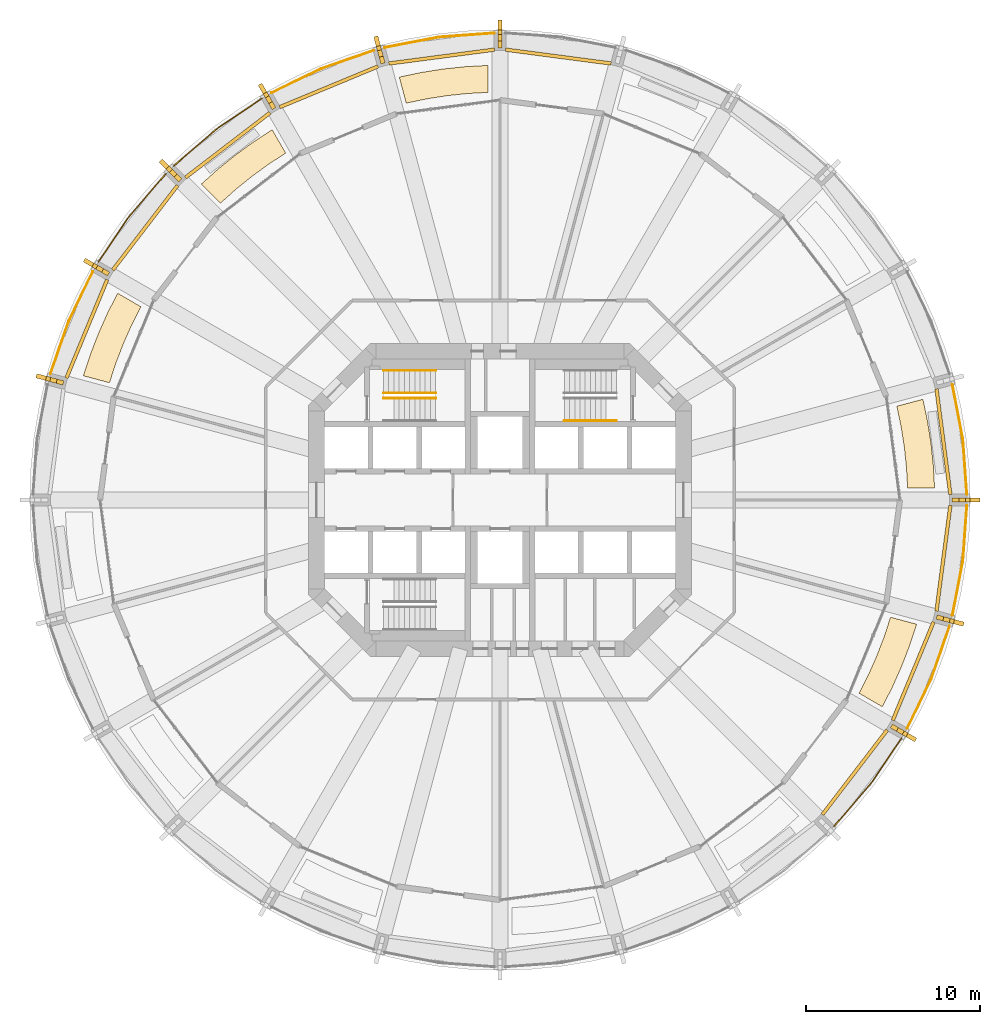
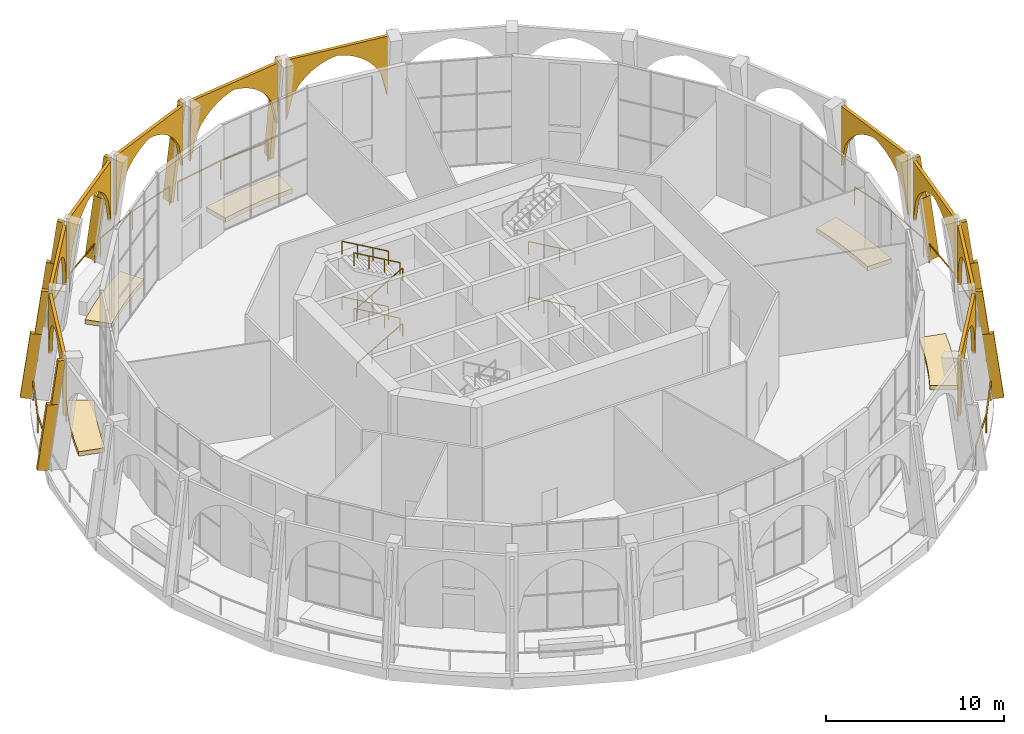
# One storey, part 18 of 19: 33 coverings, 17 railings.
"""IFC4 building model written with IfcOpenShell, lengths in metres."""

from ifc_helpers import new_model, si_unit, direction, frame, origin, origin_2d, place, context, subcontext, project, spatial, polyline, rectangle, outline, extrude, material, layer, layer_set, material_profile, profile_set, type_object, element, save


model = new_model("IFC4")

# Units and contexts
model_context = context("Model", 3, precision=1e-05, world=origin(), true_north=direction((0.0, 1.0)))
body_context = subcontext(model_context, "Body", "Model", "MODEL_VIEW")
ifc_project = project(units=[si_unit("LENGTHUNIT", "METRE"), si_unit("AREAUNIT", "SQUARE_METRE"), si_unit("VOLUMEUNIT", "CUBIC_METRE"), si_unit("PLANEANGLEUNIT", "RADIAN"), si_unit("MASSUNIT", "GRAM", prefix="KILO")], contexts=[model_context])

# Site, building, storey
site_placement = place(None, origin())
site = spatial("IfcSite", under=ifc_project, at=site_placement, CompositionType="ELEMENT")
building_placement = place(site_placement, origin())
building = spatial("IfcBuilding", under=site, at=building_placement, Name="Torre Triforio", CompositionType="ELEMENT")
storey_placement = place(building_placement, frame((0.0, 0.0, 79.0)))
storey = spatial("IfcBuildingStorey", under=building, at=storey_placement, Name="L17", CompositionType="ELEMENT", Elevation=79.0)

# Railings
ifc_material_1 = material(Name="Stainless steel AISI 316", Category="steel")
railing_type_1 = type_object("IfcRailingType", Name="HANDRAIL 920", PredefinedType="HANDRAIL", material=ifc_material_1)
railing_1_placement = place(storey_placement, frame((-6.699951171875, 5.85009765625, 0.172607421875)))
element("IfcRailing", 1, at=railing_1_placement, inside=storey, type_object=railing_type_1, Name="Handrail ST1", PredefinedType="HANDRAIL", context=body_context, shape_type="SweptSolid", body=[
    extrude(rectangle(XDim=0.048095703125, YDim=0.048095703125, at=origin_2d()), frame((0.0, 0.0, 0.89599609375), z_axis=(0.866619684472, 0.0, 0.498969260062), x_axis=(0.0, 1.0, 0.0)), (0.0, 0.0, 1.0), 3.461669921875),
    extrude(rectangle(XDim=0.0419921875, YDim=0.0419921875, at=origin_2d()), origin(), (0.0, 0.0, 1.0), 0.871826171875),
    extrude(rectangle(XDim=0.0419921875, YDim=0.0419921875, at=origin_2d()), frame((1.0, 0.0, 0.57568359375)), (0.0, 0.0, 1.0), 0.871826171875),
    extrude(rectangle(XDim=0.0419921875, YDim=0.0419921875, at=origin_2d()), frame((2.0, 0.0, 1.151611328125)), (0.0, 0.0, 1.0), 0.871826171875),
    extrude(rectangle(XDim=0.0419921875, YDim=0.0419921875, at=origin_2d()), frame((3.0, 0.0, 1.727294921875)), (0.0, 0.0, 1.0), 0.871826171875),
])
for number, where, name in (
    (2, (-3.699951171875, 7.449951171875, 2.07275390625), "Handrail ST1"),
    (3, (-3.699951171875, 6.14990234375, 2.07275390625), "Handrail ST1"),
):
    element("IfcRailing", number, at=place(storey_placement, frame(where)), inside=storey, type_object=railing_type_1, Name=name, PredefinedType="HANDRAIL", context=body_context, shape_type="SweptSolid", body=[
        extrude(rectangle(XDim=0.048095703125, YDim=0.048095703125, at=origin_2d()), frame((0.0, 0.0, 0.89599609375), z_axis=(-0.866619684472, 0.0, 0.498969260062), x_axis=(0.0, -1.0, 0.0)), (0.0, 0.0, 1.0), 3.461669921875),
        extrude(rectangle(XDim=0.0419921875, YDim=0.0419921875, at=origin_2d()), origin(), (0.0, 0.0, 1.0), 0.871826171875),
        extrude(rectangle(XDim=0.0419921875, YDim=0.0419921875, at=origin_2d()), frame((-1.0, 0.0, 0.57568359375)), (0.0, 0.0, 1.0), 0.871826171875),
        extrude(rectangle(XDim=0.0419921875, YDim=0.0419921875, at=origin_2d()), frame((-2.0, 0.0, 1.151611328125)), (0.0, 0.0, 1.0), 0.871826171875),
        extrude(rectangle(XDim=0.0419921875, YDim=0.0419921875, at=origin_2d()), frame((-3.0, 0.0, 1.727294921875)), (0.0, 0.0, 1.0), 0.871826171875),
    ])
railing_2_placement = place(storey_placement, frame((-6.699951171875, 5.85009765625, 3.97265625)))
element("IfcRailing", 4, at=railing_2_placement, inside=storey, type_object=railing_type_1, Name="Handrail ST1", PredefinedType="HANDRAIL", context=body_context, shape_type="SweptSolid", body=[
    extrude(rectangle(XDim=0.048095703125, YDim=0.048095703125, at=origin_2d()), frame((0.0, 0.0, 0.89599609375), z_axis=(0.866619684472, 0.0, 0.498969260062), x_axis=(0.0, 1.0, 0.0)), (0.0, 0.0, 1.0), 3.461669921875),
    extrude(rectangle(XDim=0.0419921875, YDim=0.0419921875, at=origin_2d()), origin(), (0.0, 0.0, 1.0), 0.871826171875),
    extrude(rectangle(XDim=0.0419921875, YDim=0.0419921875, at=origin_2d()), frame((1.0, 0.0, 0.57568359375)), (0.0, 0.0, 1.0), 0.871826171875),
    extrude(rectangle(XDim=0.0419921875, YDim=0.0419921875, at=origin_2d()), frame((2.0, 0.0, 1.151611328125)), (0.0, 0.0, 1.0), 0.871826171875),
    extrude(rectangle(XDim=0.0419921875, YDim=0.0419921875, at=origin_2d()), frame((3.0, 0.0, 1.727294921875)), (0.0, 0.0, 1.0), 0.871826171875),
])
for number, where, name in (
    (5, (-3.699951171875, 7.449951171875, 5.872802734375), "Handrail ST1"),
    (6, (-3.699951171875, 6.14990234375, 5.872802734375), "Handrail ST1"),
    (7, (6.699951171875, 4.550048828125, 0.172607421875), "Handrail ST2"),
    (8, (6.699951171875, 4.550048828125, 3.97265625), "Handrail ST2"),
):
    element("IfcRailing", number, at=place(storey_placement, frame(where)), inside=storey, type_object=railing_type_1, Name=name, PredefinedType="HANDRAIL", context=body_context, shape_type="SweptSolid", body=[
        extrude(rectangle(XDim=0.048095703125, YDim=0.048095703125, at=origin_2d()), frame((0.0, 0.0, 0.89599609375), z_axis=(-0.866619684472, 0.0, 0.498969260062), x_axis=(0.0, -1.0, 0.0)), (0.0, 0.0, 1.0), 3.461669921875),
        extrude(rectangle(XDim=0.0419921875, YDim=0.0419921875, at=origin_2d()), origin(), (0.0, 0.0, 1.0), 0.871826171875),
        extrude(rectangle(XDim=0.0419921875, YDim=0.0419921875, at=origin_2d()), frame((-1.0, 0.0, 0.57568359375)), (0.0, 0.0, 1.0), 0.871826171875),
        extrude(rectangle(XDim=0.0419921875, YDim=0.0419921875, at=origin_2d()), frame((-2.0, 0.0, 1.151611328125)), (0.0, 0.0, 1.0), 0.871826171875),
        extrude(rectangle(XDim=0.0419921875, YDim=0.0419921875, at=origin_2d()), frame((-3.0, 0.0, 1.727294921875)), (0.0, 0.0, 1.0), 0.871826171875),
    ])

# Coverings
ifc_material_2 = material(Name="Limestone arch panel", Category="masonry")
ifc_layer_1 = layer(ifc_material_2, 0.199951171875)
ifc_layer_set_1 = layer_set([ifc_layer_1], Name="Limestone arch panel")
covering_type_1 = type_object("IfcCoveringType", Name="Lancet arch cladding panel 200", PredefinedType="CLADDING", material=ifc_layer_set_1)
for number, where, z_axis, x_axis, name in (
    (9, (25.40087890625, 3.343994140625, 0.0), (0.991450144272, 0.130486058348, 0.0), (-0.130486058348, 0.991450144272, 0.0), "Lancet arch panel L17 bay 01"),
    (10, (3.343994140625, 25.40087890625, 0.0), (0.130486058348, 0.991450144272, 0.0), (-0.991450144272, 0.130486058348, 0.0), "Lancet arch panel L17 bay 06"),
    (11, (-3.343994140625, 25.40087890625, 0.0), (-0.130486058348, 0.991450144272, 0.0), (-0.991450144272, -0.130486058348, 0.0), "Lancet arch panel L17 bay 07"),
    (12, (-9.804443359375, 23.669921875, 0.0), (-0.383141993942, 0.923689456732, 0.0), (-0.923689456732, -0.383141993942, 0.0), "Lancet arch panel L17 bay 08"),
):
    element("IfcCovering", number, at=place(storey_placement, frame(where, z_axis=z_axis, x_axis=x_axis)), inside=storey, type_object=covering_type_1, Name=name, PredefinedType="CLADDING", context=body_context, shape_type="SweptSolid", body=[
        extrude(outline(polyline([(-3.0634765625, 7.320068359375), (-3.0634765625, 3.205078125), (-2.680419921875, 4.836181640625), (-2.297607421875, 5.447021484375), (-1.91455078125, 5.86962890625), (-1.53173828125, 6.18505859375), (-1.148681640625, 6.4248046875), (-0.765869140625, 6.605224609375), (-0.3828125, 6.735107421875), (0.0, 6.820068359375), (0.3828125, 6.735107421875), (0.765869140625, 6.605224609375), (1.148681640625, 6.4248046875), (1.53173828125, 6.18505859375), (1.91455078125, 5.86962890625), (2.297607421875, 5.447021484375), (2.680419921875, 4.836181640625), (3.0634765625, 3.205078125), (3.0634765625, 7.320068359375), (-3.0634765625, 7.320068359375)])), origin(), (0.0, 0.0, 1.0), 0.2001953125),
    ])
for number, where, z_axis, x_axis, name in (
    (13, (-15.5966796875, 20.325927734375, 0.0), (-0.60817512943, 0.793802879778, 0.0), (-0.793802879778, -0.60817512943, 0.0), "Lancet arch panel L17 bay 09"),
    (14, (-20.325927734375, 15.5966796875, 0.0), (-0.793802879778, 0.60817512943, 0.0), (-0.60817512943, -0.793802879778, 0.0), "Lancet arch panel L17 bay 10"),
):
    element("IfcCovering", number, at=place(storey_placement, frame(where, z_axis=z_axis, x_axis=x_axis)), inside=storey, type_object=covering_type_1, Name=name, PredefinedType="CLADDING", context=body_context, shape_type="SweptSolid", body=[
        extrude(outline(polyline([(-3.0634765625, 7.320068359375), (-3.0634765625, 3.205078125), (-2.680419921875, 4.836181640625), (-2.297607421875, 5.447021484375), (-1.91455078125, 5.86962890625), (-1.53173828125, 6.18505859375), (-1.148681640625, 6.4248046875), (-0.765869140625, 6.605224609375), (-0.3828125, 6.735107421875), (0.0, 6.820068359375), (0.3828125, 6.735107421875), (0.765869140625, 6.605224609375), (1.148681640625, 6.4248046875), (1.53173828125, 6.18505859375), (1.91455078125, 5.86962890625), (2.297607421875, 5.447021484375), (2.680419921875, 4.836181640625), (3.0634765625, 3.205078125), (3.0634765625, 7.320068359375), (-3.0634765625, 7.320068359375)])), origin(), (0.0, 0.0, 1.0), 0.199951171875),
    ])
covering_1_placement = place(storey_placement, frame((-23.669921875, 9.804443359375, 0.0), z_axis=(-0.923689456732, 0.383141993942, 0.0), x_axis=(-0.383141993942, -0.923689456732, 0.0)))
element("IfcCovering", 15, at=covering_1_placement, inside=storey, type_object=covering_type_1, Name="Lancet arch panel L17 bay 11", PredefinedType="CLADDING", context=body_context, shape_type="SweptSolid", body=[
    extrude(outline(polyline([(-3.0634765625, 7.320068359375), (-3.0634765625, 3.205078125), (-2.680419921875, 4.836181640625), (-2.297607421875, 5.447021484375), (-1.91455078125, 5.86962890625), (-1.53173828125, 6.18505859375), (-1.148681640625, 6.4248046875), (-0.765869140625, 6.605224609375), (-0.3828125, 6.735107421875), (0.0, 6.820068359375), (0.3828125, 6.735107421875), (0.765869140625, 6.605224609375), (1.148681640625, 6.4248046875), (1.53173828125, 6.18505859375), (1.91455078125, 5.86962890625), (2.297607421875, 5.447021484375), (2.680419921875, 4.836181640625), (3.0634765625, 3.205078125), (3.0634765625, 7.320068359375), (-3.0634765625, 7.320068359375)])), origin(), (0.0, 0.0, 1.0), 0.2001953125),
])
covering_2_placement = place(storey_placement, frame((20.325927734375, -15.5966796875, 0.0), z_axis=(0.793802879778, -0.60817512943, 0.0), x_axis=(0.60817512943, 0.793802879778, 0.0)))
element("IfcCovering", 16, at=covering_2_placement, inside=storey, type_object=covering_type_1, Name="Lancet arch panel L17 bay 22", PredefinedType="CLADDING", context=body_context, shape_type="SweptSolid", body=[
    extrude(outline(polyline([(-3.0634765625, 7.320068359375), (-3.0634765625, 3.205078125), (-2.680419921875, 4.836181640625), (-2.297607421875, 5.447021484375), (-1.91455078125, 5.86962890625), (-1.53173828125, 6.18505859375), (-1.148681640625, 6.4248046875), (-0.765869140625, 6.605224609375), (-0.3828125, 6.735107421875), (0.0, 6.820068359375), (0.3828125, 6.735107421875), (0.765869140625, 6.605224609375), (1.148681640625, 6.4248046875), (1.53173828125, 6.18505859375), (1.91455078125, 5.86962890625), (2.297607421875, 5.447021484375), (2.680419921875, 4.836181640625), (3.0634765625, 3.205078125), (3.0634765625, 7.320068359375), (-3.0634765625, 7.320068359375)])), origin(), (0.0, 0.0, 1.0), 0.199951171875),
])
for number, where, z_axis, x_axis, name in (
    (17, (23.669921875, -9.804443359375, 0.0), (0.923689456732, -0.383141993942, 0.0), (0.383141993942, 0.923689456732, 0.0), "Lancet arch panel L17 bay 23"),
    (18, (25.40087890625, -3.343994140625, 0.0), (0.991450144272, -0.130486058348, 0.0), (0.130486058348, 0.991450144272, 0.0), "Lancet arch panel L17 bay 24"),
):
    element("IfcCovering", number, at=place(storey_placement, frame(where, z_axis=z_axis, x_axis=x_axis)), inside=storey, type_object=covering_type_1, Name=name, PredefinedType="CLADDING", context=body_context, shape_type="SweptSolid", body=[
        extrude(outline(polyline([(-3.0634765625, 7.320068359375), (-3.0634765625, 3.205078125), (-2.680419921875, 4.836181640625), (-2.297607421875, 5.447021484375), (-1.91455078125, 5.86962890625), (-1.53173828125, 6.18505859375), (-1.148681640625, 6.4248046875), (-0.765869140625, 6.605224609375), (-0.3828125, 6.735107421875), (0.0, 6.820068359375), (0.3828125, 6.735107421875), (0.765869140625, 6.605224609375), (1.148681640625, 6.4248046875), (1.53173828125, 6.18505859375), (1.91455078125, 5.86962890625), (2.297607421875, 5.447021484375), (2.680419921875, 4.836181640625), (3.0634765625, 3.205078125), (3.0634765625, 7.320068359375), (-3.0634765625, 7.320068359375)])), origin(), (0.0, 0.0, 1.0), 0.2001953125),
    ])

# Railings
railing_type_2 = type_object("IfcRailingType", Name="Loggia guard 1300", PredefinedType="GUARDRAIL", material=ifc_material_1)
railing_3_placement = place(storey_placement, frame((26.85009765625, 0.320068359375, 0.0)))
element("IfcRailing", 19, at=railing_3_placement, inside=storey, type_object=railing_type_2, Name="Loggia guard L17 bay 01", PredefinedType="GUARDRAIL", context=body_context, shape_type="SweptSolid", body=[
    extrude(rectangle(XDim=0.050048828125, YDim=0.050048828125, at=origin_2d()), frame((0.0, 0.0, 1.27490234375), z_axis=(-0.071953458998, 0.997407990613, 0.0), x_axis=(-0.997407990613, -0.071953458998, 0.0)), (0.0, 0.0, 1.0), 3.19287109375),
    extrude(rectangle(XDim=0.050048828125, YDim=0.050048828125, at=origin_2d()), frame((-0.229736328125, 3.1845703125, 1.27490234375), z_axis=(-0.188714097365, 0.982032071501, 0.0), x_axis=(-0.982032071501, -0.188714097365, 0.0)), (0.0, 0.0, 1.0), 3.19287109375),
    extrude(rectangle(XDim=0.0400390625, YDim=0.0400390625, at=origin_2d()), origin(), (0.0, 0.0, 1.0), 1.25),
    extrude(rectangle(XDim=0.0400390625, YDim=0.0400390625, at=origin_2d()), frame((-0.229736328125, 3.1845703125, 0.0)), (0.0, 0.0, 1.0), 1.25),
    extrude(rectangle(XDim=0.0400390625, YDim=0.0400390625, at=origin_2d()), frame((-0.832275390625, 6.320068359375, 0.0)), (0.0, 0.0, 1.0), 1.25),
])
railing_4_placement = place(storey_placement, frame((-0.320068359375, 26.85009765625, 0.0)))
element("IfcRailing", 20, at=railing_4_placement, inside=storey, type_object=railing_type_2, Name="Loggia guard L17 bay 07", PredefinedType="GUARDRAIL", context=body_context, shape_type="SweptSolid", body=[
    extrude(rectangle(XDim=0.050048828125, YDim=0.050048828125, at=origin_2d()), frame((0.0, 0.0, 1.27490234375), z_axis=(-0.997407990613, -0.071953458998, 0.0), x_axis=(0.071953458998, -0.997407990613, 0.0)), (0.0, 0.0, 1.0), 3.19287109375),
    extrude(rectangle(XDim=0.050048828125, YDim=0.050048828125, at=origin_2d()), frame((-3.1845703125, -0.229736328125, 1.27490234375), z_axis=(-0.982032071501, -0.188714097365, 0.0), x_axis=(0.188714097365, -0.982032071501, 0.0)), (0.0, 0.0, 1.0), 3.19287109375),
    extrude(rectangle(XDim=0.0400390625, YDim=0.0400390625, at=origin_2d()), origin(), (0.0, 0.0, 1.0), 1.25),
    extrude(rectangle(XDim=0.0400390625, YDim=0.0400390625, at=origin_2d()), frame((-3.1845703125, -0.229736328125, 0.0)), (0.0, 0.0, 1.0), 1.25),
    extrude(rectangle(XDim=0.0400390625, YDim=0.0400390625, at=origin_2d()), frame((-6.320068359375, -0.832275390625, 0.0)), (0.0, 0.0, 1.0), 1.25),
])
railing_5_placement = place(storey_placement, frame((-7.25830078125, 25.852294921875, 0.0)))
element("IfcRailing", 21, at=railing_5_placement, inside=storey, type_object=railing_type_2, Name="Loggia guard L17 bay 08", PredefinedType="GUARDRAIL", context=body_context, shape_type="SweptSolid", body=[
    extrude(rectangle(XDim=0.050048828125, YDim=0.050048828125, at=origin_2d()), frame((0.0, 0.0, 1.27490234375), z_axis=(-0.94480685358, -0.327627852034, 0.0), x_axis=(0.327627852034, -0.94480685358, 0.0)), (0.0, 0.0, 1.0), 3.193115234375),
    extrude(rectangle(XDim=0.050048828125, YDim=0.050048828125, at=origin_2d()), frame((-3.016845703125, -1.046142578125, 1.27490234375), z_axis=(-0.899760432952, -0.436384192305, 0.0), x_axis=(0.436384192305, -0.899760432952, 0.0)), (0.0, 0.0, 1.0), 3.19287109375),
    extrude(rectangle(XDim=0.0400390625, YDim=0.0400390625, at=origin_2d()), origin(), (0.0, 0.0, 1.0), 1.25),
    extrude(rectangle(XDim=0.0400390625, YDim=0.0400390625, at=origin_2d()), frame((-3.016845703125, -1.046142578125, 0.0)), (0.0, 0.0, 1.0), 1.25),
    extrude(rectangle(XDim=0.0400390625, YDim=0.0400390625, at=origin_2d()), frame((-5.8896484375, -2.439453125, 0.0)), (0.0, 0.0, 1.0), 1.25),
])
railing_6_placement = place(storey_placement, frame((-13.7021484375, 23.0927734375, 0.0)))
element("IfcRailing", 22, at=railing_6_placement, inside=storey, type_object=railing_type_2, Name="Loggia guard L17 bay 09", PredefinedType="GUARDRAIL", context=body_context, shape_type="SweptSolid", body=[
    extrude(rectangle(XDim=0.050048828125, YDim=0.050048828125, at=origin_2d()), frame((0.0, 0.0, 1.27490234375), z_axis=(-0.82780299465, -0.561018896338, 0.0), x_axis=(0.561018896338, -0.82780299465, 0.0)), (0.0, 0.0, 1.0), 3.19287109375),
    extrude(rectangle(XDim=0.050048828125, YDim=0.050048828125, at=origin_2d()), frame((-2.64306640625, -1.791259765625, 1.27490234375), z_axis=(-0.756160678581, -0.654385993255, 0.0), x_axis=(0.654385993255, -0.756160678581, 0.0)), (0.0, 0.0, 1.0), 3.19287109375),
    extrude(rectangle(XDim=0.0400390625, YDim=0.0400390625, at=origin_2d()), origin(), (0.0, 0.0, 1.0), 1.25),
    extrude(rectangle(XDim=0.0400390625, YDim=0.0400390625, at=origin_2d()), frame((-2.64306640625, -1.791259765625, 0.0)), (0.0, 0.0, 1.0), 1.25),
    extrude(rectangle(XDim=0.0400390625, YDim=0.0400390625, at=origin_2d()), frame((-5.057373046875, -3.880615234375, 0.0)), (0.0, 0.0, 1.0), 1.25),
])
railing_7_placement = place(storey_placement, frame((-19.212158203125, 18.759521484375, 0.0)))
element("IfcRailing", 23, at=railing_7_placement, inside=storey, type_object=railing_type_2, Name="Loggia guard L17 bay 10", PredefinedType="GUARDRAIL", context=body_context, shape_type="SweptSolid", body=[
    extrude(rectangle(XDim=0.050048828125, YDim=0.050048828125, at=origin_2d()), frame((0.0, 0.0, 1.27490234375), z_axis=(-0.654385993255, -0.756160678581, 0.0), x_axis=(0.756160678581, -0.654385993255, 0.0)), (0.0, 0.0, 1.0), 3.19287109375),
    extrude(rectangle(XDim=0.050048828125, YDim=0.050048828125, at=origin_2d()), frame((-2.08935546875, -2.414306640625, 1.27490234375), z_axis=(-0.561018896338, -0.82780299465, 0.0), x_axis=(0.82780299465, -0.561018896338, 0.0)), (0.0, 0.0, 1.0), 3.19287109375),
    extrude(rectangle(XDim=0.0400390625, YDim=0.0400390625, at=origin_2d()), origin(), (0.0, 0.0, 1.0), 1.25),
    extrude(rectangle(XDim=0.0400390625, YDim=0.0400390625, at=origin_2d()), frame((-2.08935546875, -2.414306640625, 0.0)), (0.0, 0.0, 1.0), 1.25),
    extrude(rectangle(XDim=0.0400390625, YDim=0.0400390625, at=origin_2d()), frame((-3.880615234375, -5.057373046875, 0.0)), (0.0, 0.0, 1.0), 1.25),
])
railing_8_placement = place(storey_placement, frame((-23.412841796875, 13.14794921875, 0.0)))
element("IfcRailing", 24, at=railing_8_placement, inside=storey, type_object=railing_type_2, Name="Loggia guard L17 bay 11", PredefinedType="GUARDRAIL", context=body_context, shape_type="SweptSolid", body=[
    extrude(rectangle(XDim=0.050048828125, YDim=0.050048828125, at=origin_2d()), frame((0.0, 0.0, 1.27490234375), z_axis=(-0.436384192305, -0.899760432952, 0.0), x_axis=(0.899760432952, -0.436384192305, 0.0)), (0.0, 0.0, 1.0), 3.19287109375),
    extrude(rectangle(XDim=0.050048828125, YDim=0.050048828125, at=origin_2d()), frame((-1.393310546875, -2.872802734375, 1.27490234375), z_axis=(-0.327627852034, -0.94480685358, 0.0), x_axis=(0.94480685358, -0.327627852034, 0.0)), (0.0, 0.0, 1.0), 3.193115234375),
    extrude(rectangle(XDim=0.0400390625, YDim=0.0400390625, at=origin_2d()), origin(), (0.0, 0.0, 1.0), 1.25),
    extrude(rectangle(XDim=0.0400390625, YDim=0.0400390625, at=origin_2d()), frame((-1.393310546875, -2.872802734375, 0.0)), (0.0, 0.0, 1.0), 1.25),
    extrude(rectangle(XDim=0.0400390625, YDim=0.0400390625, at=origin_2d()), frame((-2.439453125, -5.8896484375, 0.0)), (0.0, 0.0, 1.0), 1.25),
])
railing_9_placement = place(storey_placement, frame((19.212158203125, -18.759521484375, 0.0)))
element("IfcRailing", 25, at=railing_9_placement, inside=storey, type_object=railing_type_2, Name="Loggia guard L17 bay 22", PredefinedType="GUARDRAIL", context=body_context, shape_type="SweptSolid", body=[
    extrude(rectangle(XDim=0.050048828125, YDim=0.050048828125, at=origin_2d()), frame((0.0, 0.0, 1.27490234375), z_axis=(0.654385993255, 0.756160678581, 0.0), x_axis=(-0.756160678581, 0.654385993255, 0.0)), (0.0, 0.0, 1.0), 3.19287109375),
    extrude(rectangle(XDim=0.050048828125, YDim=0.050048828125, at=origin_2d()), frame((2.08935546875, 2.414306640625, 1.27490234375), z_axis=(0.561018896338, 0.82780299465, 0.0), x_axis=(-0.82780299465, 0.561018896338, 0.0)), (0.0, 0.0, 1.0), 3.19287109375),
    extrude(rectangle(XDim=0.0400390625, YDim=0.0400390625, at=origin_2d()), origin(), (0.0, 0.0, 1.0), 1.25),
    extrude(rectangle(XDim=0.0400390625, YDim=0.0400390625, at=origin_2d()), frame((2.08935546875, 2.414306640625, 0.0)), (0.0, 0.0, 1.0), 1.25),
    extrude(rectangle(XDim=0.0400390625, YDim=0.0400390625, at=origin_2d()), frame((3.880615234375, 5.057373046875, 0.0)), (0.0, 0.0, 1.0), 1.25),
])
railing_10_placement = place(storey_placement, frame((23.412841796875, -13.14794921875, 0.0)))
element("IfcRailing", 26, at=railing_10_placement, inside=storey, type_object=railing_type_2, Name="Loggia guard L17 bay 23", PredefinedType="GUARDRAIL", context=body_context, shape_type="SweptSolid", body=[
    extrude(rectangle(XDim=0.050048828125, YDim=0.050048828125, at=origin_2d()), frame((0.0, 0.0, 1.27490234375), z_axis=(0.436384192305, 0.899760432952, 0.0), x_axis=(-0.899760432952, 0.436384192305, 0.0)), (0.0, 0.0, 1.0), 3.19287109375),
    extrude(rectangle(XDim=0.050048828125, YDim=0.050048828125, at=origin_2d()), frame((1.393310546875, 2.872802734375, 1.27490234375), z_axis=(0.327627852034, 0.94480685358, 0.0), x_axis=(-0.94480685358, 0.327627852034, 0.0)), (0.0, 0.0, 1.0), 3.193115234375),
    extrude(rectangle(XDim=0.0400390625, YDim=0.0400390625, at=origin_2d()), origin(), (0.0, 0.0, 1.0), 1.25),
    extrude(rectangle(XDim=0.0400390625, YDim=0.0400390625, at=origin_2d()), frame((1.393310546875, 2.872802734375, 0.0)), (0.0, 0.0, 1.0), 1.25),
    extrude(rectangle(XDim=0.0400390625, YDim=0.0400390625, at=origin_2d()), frame((2.439453125, 5.8896484375, 0.0)), (0.0, 0.0, 1.0), 1.25),
])
railing_11_placement = place(storey_placement, frame((26.017822265625, -6.64013671875, 0.0)))
element("IfcRailing", 27, at=railing_11_placement, inside=storey, type_object=railing_type_2, Name="Loggia guard L17 bay 24", PredefinedType="GUARDRAIL", context=body_context, shape_type="SweptSolid", body=[
    extrude(rectangle(XDim=0.050048828125, YDim=0.050048828125, at=origin_2d()), frame((0.0, 0.0, 1.27490234375), z_axis=(0.188714097365, 0.982032071501, 0.0), x_axis=(-0.982032071501, 0.188714097365, 0.0)), (0.0, 0.0, 1.0), 3.19287109375),
    extrude(rectangle(XDim=0.050048828125, YDim=0.050048828125, at=origin_2d()), frame((0.6025390625, 3.135498046875, 1.27490234375), z_axis=(0.071953458998, 0.997407990613, 0.0), x_axis=(-0.997407990613, 0.071953458998, 0.0)), (0.0, 0.0, 1.0), 3.19287109375),
    extrude(rectangle(XDim=0.0400390625, YDim=0.0400390625, at=origin_2d()), origin(), (0.0, 0.0, 1.0), 1.25),
    extrude(rectangle(XDim=0.0400390625, YDim=0.0400390625, at=origin_2d()), frame((0.6025390625, 3.135498046875, 0.0)), (0.0, 0.0, 1.0), 1.25),
    extrude(rectangle(XDim=0.0400390625, YDim=0.0400390625, at=origin_2d()), frame((0.832275390625, 6.320068359375, 0.0)), (0.0, 0.0, 1.0), 1.25),
])

# Coverings
ifc_material_3 = material(Name="Planted topsoil bed")
ifc_layer_2 = layer(ifc_material_3, 0.300048828125)
ifc_layer_set_2 = layer_set([ifc_layer_2], Name="Planted topsoil bed")
covering_type_2 = type_object("IfcCoveringType", Name="Planted bed 300", PredefinedType="FLOORING", material=ifc_layer_set_2)
covering_3_placement = place(storey_placement, origin())
element("IfcCovering", 28, at=covering_3_placement, inside=storey, type_object=covering_type_2, Name="Sky garden L17 planted bed 01", PredefinedType="FLOORING", context=body_context, shape_type="SweptSolid", body=[
    extrude(outline(polyline([(23.439697265625, 0.69970703125), (23.374267578125, 1.8828125), (23.24951171875, 3.060791015625), (23.065185546875, 4.231201171875), (22.822021484375, 5.390869140625), (24.31982421875, 5.7919921875), (24.58544921875, 4.53369140625), (24.7861328125, 3.26318359375), (24.921142578125, 1.984130859375), (24.990234375, 0.69970703125), (23.439697265625, 0.69970703125)])), origin(), (0.0, 0.0, 1.0), 0.300048828125),
])
covering_4_placement = place(storey_placement, origin())
element("IfcCovering", 29, at=covering_4_placement, inside=storey, type_object=covering_type_2, Name="Sky garden L17 planted bed 07", PredefinedType="FLOORING", context=body_context, shape_type="SweptSolid", body=[
    extrude(outline(polyline([(-0.69970703125, 23.439697265625), (-1.8828125, 23.374267578125), (-3.060791015625, 23.24951171875), (-4.231201171875, 23.065185546875), (-5.390869140625, 22.822021484375), (-5.7919921875, 24.31982421875), (-4.53369140625, 24.58544921875), (-3.26318359375, 24.7861328125), (-1.984130859375, 24.921142578125), (-0.69970703125, 24.990234375), (-0.69970703125, 23.439697265625)])), origin(), (0.0, 0.0, 1.0), 0.300048828125),
])
covering_5_placement = place(storey_placement, origin())
element("IfcCovering", 30, at=covering_5_placement, inside=storey, type_object=covering_type_2, Name="Sky garden L17 planted bed 09", PredefinedType="FLOORING", context=body_context, shape_type="SweptSolid", body=[
    extrude(outline(polyline([(-12.32568359375, 19.949462890625), (-13.317626953125, 19.301513671875), (-14.275390625, 18.60400390625), (-15.197021484375, 17.859375), (-16.07958984375, 17.069091796875), (-17.176025390625, 18.16552734375), (-16.218994140625, 19.02490234375), (-15.218994140625, 19.833740234375), (-14.1787109375, 20.59033203125), (-13.10107421875, 21.292236328125), (-12.32568359375, 19.949462890625)])), origin(), (0.0, 0.0, 1.0), 0.300048828125),
])
covering_6_placement = place(storey_placement, origin())
element("IfcCovering", 31, at=covering_6_placement, inside=storey, type_object=covering_type_2, Name="Sky garden L17 planted bed 11", PredefinedType="FLOORING", context=body_context, shape_type="SweptSolid", body=[
    extrude(outline(polyline([(-20.649169921875, 11.11376953125), (-21.18408203125, 10.056640625), (-21.6650390625, 8.973876953125), (-22.090576171875, 7.8681640625), (-22.459716796875, 6.742431640625), (-23.95751953125, 7.143798828125), (-23.55859375, 8.366455078125), (-23.096923828125, 9.567138671875), (-22.574462890625, 10.7421875), (-21.991943359375, 11.88916015625), (-20.649169921875, 11.11376953125)])), origin(), (0.0, 0.0, 1.0), 0.300048828125),
])
covering_7_placement = place(storey_placement, origin())
element("IfcCovering", 32, at=covering_7_placement, inside=storey, type_object=covering_type_2, Name="Sky garden L17 planted bed 23", PredefinedType="FLOORING", context=body_context, shape_type="SweptSolid", body=[
    extrude(outline(polyline([(20.649169921875, -11.11376953125), (21.18408203125, -10.056640625), (21.6650390625, -8.973876953125), (22.090576171875, -7.8681640625), (22.459716796875, -6.742431640625), (23.95751953125, -7.143798828125), (23.55859375, -8.366455078125), (23.096923828125, -9.567138671875), (22.574462890625, -10.7421875), (21.991943359375, -11.88916015625), (20.649169921875, -11.11376953125)])), origin(), (0.0, 0.0, 1.0), 0.300048828125),
])
ifc_material_4 = material(Name="Limestone fin", Category="masonry")
ifc_material_profile_1 = material_profile(ifc_material_4, rectangle(XDim=0.39990234375, YDim=0.25, at=origin_2d()), Name="FIN 400x250")
ifc_profile_set_1 = profile_set([ifc_material_profile_1], Name="Limestone fin")
covering_type_3 = type_object("IfcCoveringType", Name="Stone fin 400 x 250", PredefinedType="CLADDING", material=ifc_profile_set_1)
for number, where, z_axis, x_axis, name in (
    (33, (26.57763671875, 0.0, 4.39208984375), (-0.130452374083, 0.0, 0.99145457692), (0.99145457692, 0.0, 0.130452374083), "Stone fin C01 L17 upper"),
    (34, (0.0, 26.57763671875, 4.39208984375), (0.0, -0.130452374083, 0.99145457692), (0.0, 0.99145457692, 0.130452374083), "Stone fin C07 L17 upper"),
    (35, (-6.87890625, 25.672119140625, 4.39208984375), (0.033811826608, -0.125988322127, 0.991455345978), (-0.256985881507, 0.957570864101, 0.130446529011), "Stone fin C08 L17 upper"),
    (36, (-13.288818359375, 23.01708984375, 4.39208984375), (0.065225936074, -0.113008687722, 0.991450762147), (-0.495613337154, 0.858686225462, 0.130481363564), "Stone fin C09 L17 upper"),
    (37, (-18.793212890625, 18.793212890625, 4.39208984375), (0.09217756867, -0.09217756867, 0.991466888841), (-0.701072960421, 0.701072960421, 0.13035876776), "Stone fin C10 L17 upper"),
    (38, (-23.01708984375, 13.288818359375, 4.39208984375), (0.113008687722, -0.065225936074, 0.991450762147), (-0.858686225462, 0.495613337154, 0.130481363564), "Stone fin C11 L17 upper"),
    (39, (-25.672119140625, 6.87890625, 4.39208984375), (0.125988322127, -0.033811826608, 0.991455345978), (-0.957570864101, 0.256985881507, 0.130446529011), "Stone fin C12 L17 upper"),
    (40, (23.01708984375, -13.288818359375, 4.39208984375), (-0.113008687722, 0.065225936074, 0.991450762147), (0.858686225462, -0.495613337154, 0.130481363564), "Stone fin C23 L17 upper"),
    (41, (25.672119140625, -6.87890625, 4.39208984375), (-0.125988322127, 0.033811826608, 0.991455345978), (0.957570864101, -0.256985881507, 0.130446529011), "Stone fin C24 L17 upper"),
):
    element("IfcCovering", number, at=place(storey_placement, frame(where, z_axis=z_axis, x_axis=x_axis)), inside=storey, type_object=covering_type_3, Name=name, PredefinedType="CLADDING", context=body_context, shape_type="SweptSolid", body=[
        extrude(rectangle(XDim=0.39990234375, YDim=0.25, at=origin_2d()), origin(), (0.0, 0.0, 1.0), 2.953125),
    ])
ifc_material_profile_2 = material_profile(ifc_material_4, rectangle(XDim=0.64990234375, YDim=0.25, at=origin_2d()), Name="FIN 650x250")
ifc_profile_set_2 = profile_set([ifc_material_profile_2], Name="Limestone fin")
covering_type_4 = type_object("IfcCoveringType", Name="Stone fin 650 x 250", PredefinedType="CLADDING", material=ifc_profile_set_2)
for number, where, z_axis, x_axis, name in (
    (42, (27.28173828125, 0.0, 0.0), (-0.130448810091, 0.0, 0.991455045852), (0.991455045852, 0.0, 0.130448810091), "Stone fin C01 L17"),
    (43, (0.0, 27.28173828125, 0.0), (0.0, -0.130448810091, 0.991455045852), (0.0, 0.991455045852, 0.130448810091), "Stone fin C07 L17"),
    (44, (-7.06103515625, 26.35205078125, 0.0), (0.033783378573, -0.125984997419, 0.991456738218), (-0.256790855, 0.957624624029, 0.130435946895), "Stone fin C08 L17"),
    (45, (-13.640869140625, 23.626708984375, 0.0), (0.065251795583, -0.112978193366, 0.991452535927), (-0.495861937441, 0.858544739658, 0.130467884949), "Stone fin C09 L17"),
    (46, (-19.291015625, 19.291015625, 0.0), (0.092256311903, -0.092256311903, 0.991452240821), (-0.701062602707, 0.701062602707, 0.130470127508), "Stone fin C10 L17"),
    (47, (-23.626708984375, 13.640869140625, 0.0), (0.112978193366, -0.065251795583, 0.991452535927), (-0.858544739658, 0.495861937441, 0.130467884949), "Stone fin C11 L17"),
    (48, (-26.35205078125, 7.06103515625, 0.0), (0.125984997419, -0.033783378573, 0.991456738218), (-0.957624624029, 0.256790855, 0.130435946895), "Stone fin C12 L17"),
    (49, (23.626708984375, -13.640869140625, 0.0), (-0.112978193366, 0.065251795583, 0.991452535927), (0.858544739658, -0.495861937441, 0.130467884949), "Stone fin C23 L17"),
    (50, (26.35205078125, -7.06103515625, 0.0), (-0.125984997419, 0.033783378573, 0.991456738218), (0.957624624029, -0.256790855, 0.130435946895), "Stone fin C24 L17"),
):
    element("IfcCovering", number, at=place(storey_placement, frame(where, z_axis=z_axis, x_axis=x_axis)), inside=storey, type_object=covering_type_4, Name=name, PredefinedType="CLADDING", context=body_context, shape_type="SweptSolid", body=[
        extrude(rectangle(XDim=0.64990234375, YDim=0.25, at=origin_2d()), origin(), (0.0, 0.0, 1.0), 4.429931640625),
    ])

save(model, "model.ifc")
